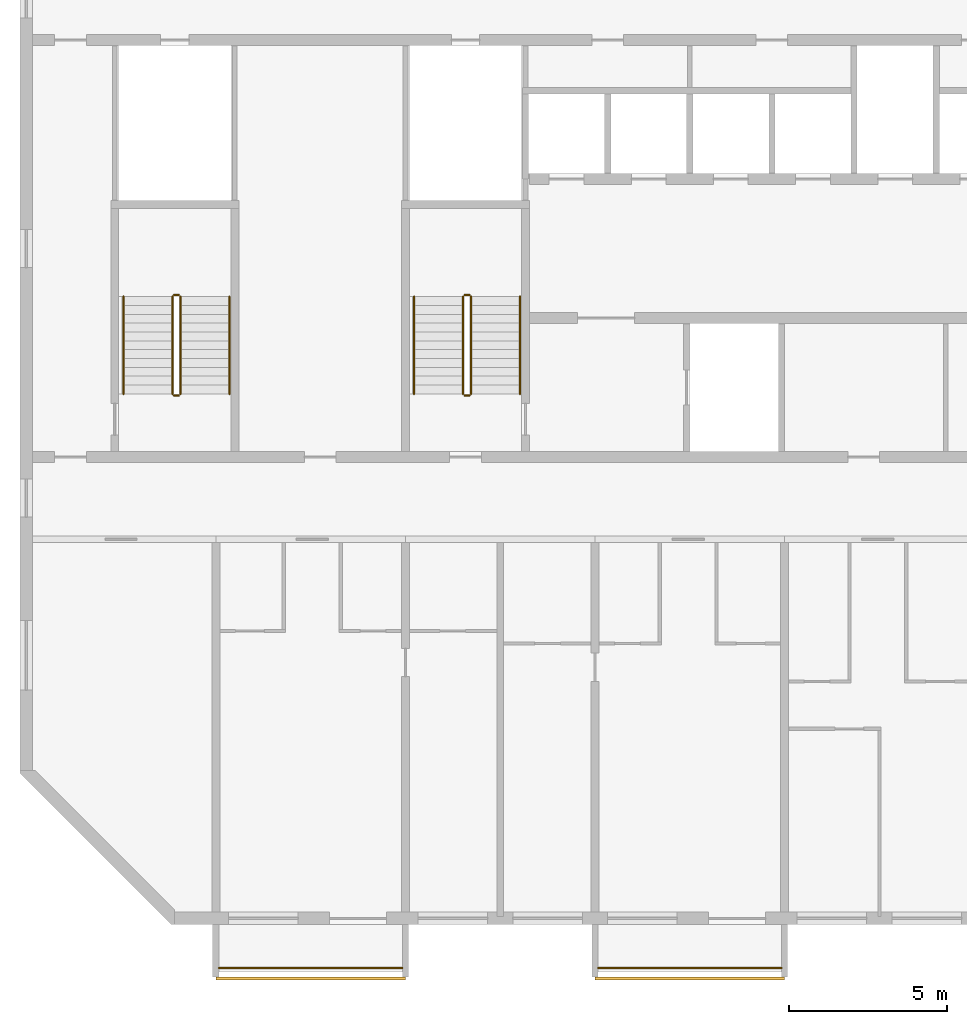
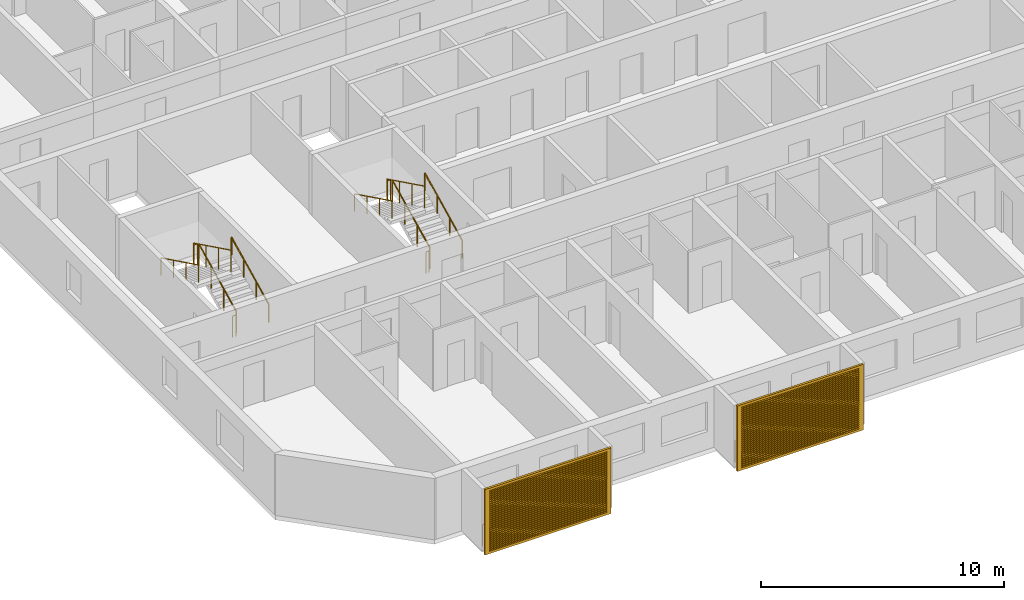
# One storey, part 13 of 26: 14 railings, 2 shading devices.
"""IFC4 building model written with IfcOpenShell, lengths in metres."""

from ifc_helpers import new_model, si_unit, direction, frame, origin, origin_2d, place, context, subcontext, project, spatial, polyline, circle, outline, extrude, source, transform, mapped, material, material_profile, profile_set, type_object, element, save


model = new_model("IFC4")

# Units and contexts
model_context = context("Model", 3, precision=1e-05, world=origin(), true_north=direction((0.0, 1.0)))
body_context = subcontext(model_context, "Body", "Model", "MODEL_VIEW")
ifc_project = project(units=[si_unit("LENGTHUNIT", "METRE"), si_unit("AREAUNIT", "SQUARE_METRE"), si_unit("VOLUMEUNIT", "CUBIC_METRE"), si_unit("PLANEANGLEUNIT", "RADIAN"), si_unit("MASSUNIT", "GRAM", prefix="KILO")], contexts=[model_context])

# Site, building, storey
site_placement = place(None, origin())
site = spatial("IfcSite", under=ifc_project, at=site_placement, CompositionType="ELEMENT")
building_placement = place(site_placement, origin())
building = spatial("IfcBuilding", under=site, at=building_placement, Name="Poui Terraces", CompositionType="ELEMENT")
storey_placement = place(building_placement, frame((0.0, 0.0, 244.5)))
storey = spatial("IfcBuildingStorey", under=building, at=storey_placement, Name="L68", CompositionType="ELEMENT", Elevation=244.5)

# Railings
ifc_material_1 = material(Name="Painted steel fretwork", Category="steel")
railing_type_1 = type_object("IfcRailingType", Name="BALCONY GUARD 1100", PredefinedType="GUARDRAIL", material=ifc_material_1)
for number, where, name in (
    (1, (24.10009765625, -1.570068359375, 0.0), "BALCONY GUARD"),
    (2, (36.10009765625, -1.570068359375, 0.0), "BALCONY GUARD"),
):
    element("IfcRailing", number, at=place(storey_placement, frame(where)), inside=storey, type_object=railing_type_1, Name=name, PredefinedType="GUARDRAIL", context=body_context, shape_type="SweptSolid", body=[
        extrude(circle(Radius=0.02392578125, at=origin_2d()), frame((0.0, 0.0, 1.076171875), z_axis=(1.0, 0.0, 0.0), x_axis=(0.0, 1.0, 0.0)), (0.0, 0.0, 1.0), 5.7998046875),
        extrude(circle(Radius=0.02099609375, at=origin_2d()), origin(), (0.0, 0.0, 1.0), 1.052001953125),
        extrude(circle(Radius=0.02099609375, at=origin_2d()), frame((0.966552734375, 0.0, 0.0)), (0.0, 0.0, 1.0), 1.052001953125),
        extrude(circle(Radius=0.02099609375, at=origin_2d()), frame((1.933349609375, 0.0, 0.0)), (0.0, 0.0, 1.0), 1.052001953125),
        extrude(circle(Radius=0.02099609375, at=origin_2d()), frame((2.89990234375, 0.0, 0.0)), (0.0, 0.0, 1.0), 1.052001953125),
        extrude(circle(Radius=0.02099609375, at=origin_2d()), frame((3.866455078125, 0.0, 0.0)), (0.0, 0.0, 1.0), 1.052001953125),
        extrude(circle(Radius=0.02099609375, at=origin_2d()), frame((4.833251953125, 0.0, 0.0)), (0.0, 0.0, 1.0), 1.052001953125),
        extrude(circle(Radius=0.02099609375, at=origin_2d()), frame((5.7998046875, 0.0, 0.0)), (0.0, 0.0, 1.0), 1.052001953125),
    ])
ifc_material_2 = material(Name="Galvanised steel balustrade", Category="steel")
railing_type_2 = type_object("IfcRailingType", Name="STAIR GUARD 1100", PredefinedType="GUARDRAIL", material=ifc_material_2)
railing_1_placement = place(storey_placement, frame((32.074951171875, 16.60009765625, 0.137451171875)))
element("IfcRailing", 3, at=railing_1_placement, inside=storey, type_object=railing_type_2, Name="L68 ST-CW stair guard 1", PredefinedType="GUARDRAIL", context=body_context, shape_type="SweptSolid", body=[
    extrude(circle(Radius=0.02392578125, at=origin_2d()), frame((0.0, 0.0, 1.076171875), z_axis=(0.0, 0.897606190399, 0.440798283751), x_axis=(-1.0, 0.0, 0.0)), (0.0, 0.0, 1.0), 3.43115234375),
    extrude(circle(Radius=0.02099609375, at=origin_2d()), origin(), (0.0, 0.0, 1.0), 1.052001953125),
    extrude(circle(Radius=0.02099609375, at=origin_2d()), frame((0.0, 1.026611328125, 0.504150390625)), (0.0, 0.0, 1.0), 1.052001953125),
    extrude(circle(Radius=0.02099609375, at=origin_2d()), frame((0.0, 2.05322265625, 1.00830078125)), (0.0, 0.0, 1.0), 1.052001953125),
    extrude(circle(Radius=0.02099609375, at=origin_2d()), frame((0.0, 3.079833984375, 1.512451171875)), (0.0, 0.0, 1.0), 1.052001953125),
])
railing_2_placement = place(storey_placement, frame((32.02490234375, 19.72998046875, 1.64990234375)))
element("IfcRailing", 4, at=railing_2_placement, inside=storey, type_object=railing_type_2, Name="L68 ST-CW stair guard 2", PredefinedType="GUARDRAIL", context=body_context, shape_type="SweptSolid", body=[
    extrude(circle(Radius=0.02392578125, at=origin_2d()), frame((0.0, 0.0, 1.076171875), z_axis=(-1.0, 0.0, 0.0), x_axis=(0.0, -1.0, 0.0)), (0.0, 0.0, 1.0), 0.14990234375),
    extrude(circle(Radius=0.02099609375, at=origin_2d()), origin(), (0.0, 0.0, 1.0), 1.052001953125),
    extrude(circle(Radius=0.02099609375, at=origin_2d()), frame((-0.14990234375, 0.0, 0.0)), (0.0, 0.0, 1.0), 1.052001953125),
])
railing_3_placement = place(storey_placement, frame((31.824951171875, 19.679931640625, 1.78759765625)))
element("IfcRailing", 5, at=railing_3_placement, inside=storey, type_object=railing_type_2, Name="L68 ST-CW stair guard 3", PredefinedType="GUARDRAIL", context=body_context, shape_type="SweptSolid", body=[
    extrude(circle(Radius=0.02392578125, at=origin_2d()), frame((0.0, 0.0, 1.076171875), z_axis=(0.0, -0.897606190399, 0.440798283751), x_axis=(1.0, 0.0, 0.0)), (0.0, 0.0, 1.0), 3.43115234375),
    extrude(circle(Radius=0.02099609375, at=origin_2d()), origin(), (0.0, 0.0, 1.0), 1.052001953125),
    extrude(circle(Radius=0.02099609375, at=origin_2d()), frame((0.0, -1.026611328125, 0.504150390625)), (0.0, 0.0, 1.0), 1.052001953125),
    extrude(circle(Radius=0.02099609375, at=origin_2d()), frame((0.0, -2.05322265625, 1.00830078125)), (0.0, 0.0, 1.0), 1.052001953125),
    extrude(circle(Radius=0.02099609375, at=origin_2d()), frame((0.0, -3.079833984375, 1.512451171875)), (0.0, 0.0, 1.0), 1.052001953125),
])
railing_4_placement = place(storey_placement, frame((32.02490234375, 16.550048828125, 0.0)))
element("IfcRailing", 6, at=railing_4_placement, inside=storey, type_object=railing_type_2, Name="L68 ST-CW stair guard 4", PredefinedType="GUARDRAIL", context=body_context, shape_type="SweptSolid", body=[
    extrude(circle(Radius=0.02392578125, at=origin_2d()), frame((0.0, 0.0, 1.076171875), z_axis=(-1.0, 0.0, 0.0), x_axis=(0.0, -1.0, 0.0)), (0.0, 0.0, 1.0), 0.14990234375),
    extrude(circle(Radius=0.02099609375, at=origin_2d()), origin(), (0.0, 0.0, 1.0), 1.052001953125),
    extrude(circle(Radius=0.02099609375, at=origin_2d()), frame((-0.14990234375, 0.0, 0.0)), (0.0, 0.0, 1.0), 1.052001953125),
])
railing_5_placement = place(storey_placement, frame((22.875, 16.60009765625, 0.137451171875)))
element("IfcRailing", 7, at=railing_5_placement, inside=storey, type_object=railing_type_2, Name="L68 ST-W stair guard 1", PredefinedType="GUARDRAIL", context=body_context, shape_type="SweptSolid", body=[
    extrude(circle(Radius=0.02392578125, at=origin_2d()), frame((0.0, 0.0, 1.076171875), z_axis=(0.0, 0.897606190399, 0.440798283751), x_axis=(-1.0, 0.0, 0.0)), (0.0, 0.0, 1.0), 3.43115234375),
    extrude(circle(Radius=0.02099609375, at=origin_2d()), origin(), (0.0, 0.0, 1.0), 1.052001953125),
    extrude(circle(Radius=0.02099609375, at=origin_2d()), frame((0.0, 1.026611328125, 0.504150390625)), (0.0, 0.0, 1.0), 1.052001953125),
    extrude(circle(Radius=0.02099609375, at=origin_2d()), frame((0.0, 2.05322265625, 1.00830078125)), (0.0, 0.0, 1.0), 1.052001953125),
    extrude(circle(Radius=0.02099609375, at=origin_2d()), frame((0.0, 3.079833984375, 1.512451171875)), (0.0, 0.0, 1.0), 1.052001953125),
])
railing_6_placement = place(storey_placement, frame((22.824951171875, 19.72998046875, 1.64990234375)))
element("IfcRailing", 8, at=railing_6_placement, inside=storey, type_object=railing_type_2, Name="L68 ST-W stair guard 2", PredefinedType="GUARDRAIL", context=body_context, shape_type="SweptSolid", body=[
    extrude(circle(Radius=0.02392578125, at=origin_2d()), frame((0.0, 0.0, 1.076171875), z_axis=(-1.0, 0.0, 0.0), x_axis=(0.0, -1.0, 0.0)), (0.0, 0.0, 1.0), 0.14990234375),
    extrude(circle(Radius=0.02099609375, at=origin_2d()), origin(), (0.0, 0.0, 1.0), 1.052001953125),
    extrude(circle(Radius=0.02099609375, at=origin_2d()), frame((-0.14990234375, 0.0, 0.0)), (0.0, 0.0, 1.0), 1.052001953125),
])
railing_7_placement = place(storey_placement, frame((22.625, 19.679931640625, 1.78759765625)))
element("IfcRailing", 9, at=railing_7_placement, inside=storey, type_object=railing_type_2, Name="L68 ST-W stair guard 3", PredefinedType="GUARDRAIL", context=body_context, shape_type="SweptSolid", body=[
    extrude(circle(Radius=0.02392578125, at=origin_2d()), frame((0.0, 0.0, 1.076171875), z_axis=(0.0, -0.897606190399, 0.440798283751), x_axis=(1.0, 0.0, 0.0)), (0.0, 0.0, 1.0), 3.43115234375),
    extrude(circle(Radius=0.02099609375, at=origin_2d()), origin(), (0.0, 0.0, 1.0), 1.052001953125),
    extrude(circle(Radius=0.02099609375, at=origin_2d()), frame((0.0, -1.026611328125, 0.504150390625)), (0.0, 0.0, 1.0), 1.052001953125),
    extrude(circle(Radius=0.02099609375, at=origin_2d()), frame((0.0, -2.05322265625, 1.00830078125)), (0.0, 0.0, 1.0), 1.052001953125),
    extrude(circle(Radius=0.02099609375, at=origin_2d()), frame((0.0, -3.079833984375, 1.512451171875)), (0.0, 0.0, 1.0), 1.052001953125),
])
railing_8_placement = place(storey_placement, frame((22.824951171875, 16.550048828125, 0.0)))
element("IfcRailing", 10, at=railing_8_placement, inside=storey, type_object=railing_type_2, Name="L68 ST-W stair guard 4", PredefinedType="GUARDRAIL", context=body_context, shape_type="SweptSolid", body=[
    extrude(circle(Radius=0.02392578125, at=origin_2d()), frame((0.0, 0.0, 1.076171875), z_axis=(-1.0, 0.0, 0.0), x_axis=(0.0, -1.0, 0.0)), (0.0, 0.0, 1.0), 0.14990234375),
    extrude(circle(Radius=0.02099609375, at=origin_2d()), origin(), (0.0, 0.0, 1.0), 1.052001953125),
    extrude(circle(Radius=0.02099609375, at=origin_2d()), frame((-0.14990234375, 0.0, 0.0)), (0.0, 0.0, 1.0), 1.052001953125),
])
ifc_material_3 = material(Name="Stainless steel handrail", Category="steel")
railing_type_3 = type_object("IfcRailingType", Name="STAIR HANDRAIL 900", PredefinedType="HANDRAIL", material=ifc_material_3)
railing_9_placement = place(storey_placement, frame((33.625, 16.60009765625, 0.137451171875)))
element("IfcRailing", 11, at=railing_9_placement, inside=storey, type_object=railing_type_3, Name="L68 ST-CW stair handrail 1", PredefinedType="HANDRAIL", context=body_context, shape_type="SweptSolid", body=[
    extrude(circle(Radius=0.02392578125, at=origin_2d()), frame((0.0, 0.0, 0.8759765625), z_axis=(0.0, 0.897606190399, 0.440798283751), x_axis=(-1.0, 0.0, 0.0)), (0.0, 0.0, 1.0), 3.43115234375),
    extrude(circle(Radius=0.02099609375, at=origin_2d()), origin(), (0.0, 0.0, 1.0), 0.851806640625),
    extrude(circle(Radius=0.02099609375, at=origin_2d()), frame((0.0, 1.026611328125, 0.504150390625)), (0.0, 0.0, 1.0), 0.851806640625),
    extrude(circle(Radius=0.02099609375, at=origin_2d()), frame((0.0, 2.05322265625, 1.00830078125)), (0.0, 0.0, 1.0), 0.851806640625),
    extrude(circle(Radius=0.02099609375, at=origin_2d()), frame((0.0, 3.079833984375, 1.512451171875)), (0.0, 0.0, 1.0), 0.851806640625),
])
railing_10_placement = place(storey_placement, frame((30.27490234375, 19.679931640625, 1.78759765625)))
element("IfcRailing", 12, at=railing_10_placement, inside=storey, type_object=railing_type_3, Name="L68 ST-CW stair handrail 2", PredefinedType="HANDRAIL", context=body_context, shape_type="SweptSolid", body=[
    extrude(circle(Radius=0.02392578125, at=origin_2d()), frame((0.0, 0.0, 0.8759765625), z_axis=(0.0, -0.897606190399, 0.440798283751), x_axis=(1.0, 0.0, 0.0)), (0.0, 0.0, 1.0), 3.43115234375),
    extrude(circle(Radius=0.02099609375, at=origin_2d()), origin(), (0.0, 0.0, 1.0), 0.851806640625),
    extrude(circle(Radius=0.02099609375, at=origin_2d()), frame((0.0, -1.026611328125, 0.504150390625)), (0.0, 0.0, 1.0), 0.851806640625),
    extrude(circle(Radius=0.02099609375, at=origin_2d()), frame((0.0, -2.05322265625, 1.00830078125)), (0.0, 0.0, 1.0), 0.851806640625),
    extrude(circle(Radius=0.02099609375, at=origin_2d()), frame((0.0, -3.079833984375, 1.512451171875)), (0.0, 0.0, 1.0), 0.851806640625),
])
railing_11_placement = place(storey_placement, frame((24.425048828125, 16.60009765625, 0.137451171875)))
element("IfcRailing", 13, at=railing_11_placement, inside=storey, type_object=railing_type_3, Name="L68 ST-W stair handrail 1", PredefinedType="HANDRAIL", context=body_context, shape_type="SweptSolid", body=[
    extrude(circle(Radius=0.02392578125, at=origin_2d()), frame((0.0, 0.0, 0.8759765625), z_axis=(0.0, 0.897606190399, 0.440798283751), x_axis=(-1.0, 0.0, 0.0)), (0.0, 0.0, 1.0), 3.43115234375),
    extrude(circle(Radius=0.02099609375, at=origin_2d()), origin(), (0.0, 0.0, 1.0), 0.851806640625),
    extrude(circle(Radius=0.02099609375, at=origin_2d()), frame((0.0, 1.026611328125, 0.504150390625)), (0.0, 0.0, 1.0), 0.851806640625),
    extrude(circle(Radius=0.02099609375, at=origin_2d()), frame((0.0, 2.05322265625, 1.00830078125)), (0.0, 0.0, 1.0), 0.851806640625),
    extrude(circle(Radius=0.02099609375, at=origin_2d()), frame((0.0, 3.079833984375, 1.512451171875)), (0.0, 0.0, 1.0), 0.851806640625),
])
railing_12_placement = place(storey_placement, frame((21.074951171875, 19.679931640625, 1.78759765625)))
element("IfcRailing", 14, at=railing_12_placement, inside=storey, type_object=railing_type_3, Name="L68 ST-W stair handrail 2", PredefinedType="HANDRAIL", context=body_context, shape_type="SweptSolid", body=[
    extrude(circle(Radius=0.02392578125, at=origin_2d()), frame((0.0, 0.0, 0.8759765625), z_axis=(0.0, -0.897606190399, 0.440798283751), x_axis=(1.0, 0.0, 0.0)), (0.0, 0.0, 1.0), 3.43115234375),
    extrude(circle(Radius=0.02099609375, at=origin_2d()), origin(), (0.0, 0.0, 1.0), 0.851806640625),
    extrude(circle(Radius=0.02099609375, at=origin_2d()), frame((0.0, -1.026611328125, 0.504150390625)), (0.0, 0.0, 1.0), 0.851806640625),
    extrude(circle(Radius=0.02099609375, at=origin_2d()), frame((0.0, -2.05322265625, 1.00830078125)), (0.0, 0.0, 1.0), 0.851806640625),
    extrude(circle(Radius=0.02099609375, at=origin_2d()), frame((0.0, -3.079833984375, 1.512451171875)), (0.0, 0.0, 1.0), 0.851806640625),
])

# Shading devices
ifc_material_4 = material(Name="Aluminium louvre", Category="aluminium")
ifc_material_profile = material_profile(ifc_material_4, outline(polyline([(-3.0, -1.64990234375), (3.0, -1.64990234375), (3.0, 1.64990234375), (-3.0, 1.64990234375), (-3.0, -1.64990234375)]), holes=[polyline([(-2.800048828125, -1.530029296875), (2.800048828125, -1.530029296875), (2.800048828125, -1.469970703125), (-2.800048828125, -1.469970703125), (-2.800048828125, -1.530029296875)]), polyline([(-2.800048828125, -1.429931640625), (2.800048828125, -1.429931640625), (2.800048828125, -1.3701171875), (-2.800048828125, -1.3701171875), (-2.800048828125, -1.429931640625)]), polyline([(-2.800048828125, -1.330078125), (2.800048828125, -1.330078125), (2.800048828125, -1.27001953125), (-2.800048828125, -1.27001953125), (-2.800048828125, -1.330078125)]), polyline([(-2.800048828125, -1.22998046875), (2.800048828125, -1.22998046875), (2.800048828125, -1.169921875), (-2.800048828125, -1.169921875), (-2.800048828125, -1.22998046875)]), polyline([(-2.800048828125, -1.1298828125), (2.800048828125, -1.1298828125), (2.800048828125, -1.070068359375), (-2.800048828125, -1.070068359375), (-2.800048828125, -1.1298828125)]), polyline([(-2.800048828125, -1.030029296875), (2.800048828125, -1.030029296875), (2.800048828125, -0.969970703125), (-2.800048828125, -0.969970703125), (-2.800048828125, -1.030029296875)]), polyline([(-2.800048828125, -0.929931640625), (2.800048828125, -0.929931640625), (2.800048828125, -0.8701171875), (-2.800048828125, -0.8701171875), (-2.800048828125, -0.929931640625)]), polyline([(-2.800048828125, -0.830078125), (2.800048828125, -0.830078125), (2.800048828125, -0.77001953125), (-2.800048828125, -0.77001953125), (-2.800048828125, -0.830078125)]), polyline([(-2.800048828125, -0.72998046875), (2.800048828125, -0.72998046875), (2.800048828125, -0.669921875), (-2.800048828125, -0.669921875), (-2.800048828125, -0.72998046875)]), polyline([(-2.800048828125, -0.6298828125), (2.800048828125, -0.6298828125), (2.800048828125, -0.570068359375), (-2.800048828125, -0.570068359375), (-2.800048828125, -0.6298828125)]), polyline([(-2.800048828125, -0.530029296875), (2.800048828125, -0.530029296875), (2.800048828125, -0.469970703125), (-2.800048828125, -0.469970703125), (-2.800048828125, -0.530029296875)]), polyline([(-2.800048828125, -0.429931640625), (2.800048828125, -0.429931640625), (2.800048828125, -0.3701171875), (-2.800048828125, -0.3701171875), (-2.800048828125, -0.429931640625)]), polyline([(-2.800048828125, -0.330078125), (2.800048828125, -0.330078125), (2.800048828125, -0.27001953125), (-2.800048828125, -0.27001953125), (-2.800048828125, -0.330078125)]), polyline([(-2.800048828125, -0.22998046875), (2.800048828125, -0.22998046875), (2.800048828125, -0.169921875), (-2.800048828125, -0.169921875), (-2.800048828125, -0.22998046875)]), polyline([(-2.800048828125, -0.1298828125), (2.800048828125, -0.1298828125), (2.800048828125, -0.070068359375), (-2.800048828125, -0.070068359375), (-2.800048828125, -0.1298828125)]), polyline([(-2.800048828125, -0.030029296875), (2.800048828125, -0.030029296875), (2.800048828125, 0.030029296875), (-2.800048828125, 0.030029296875), (-2.800048828125, -0.030029296875)]), polyline([(-2.800048828125, 0.070068359375), (2.800048828125, 0.070068359375), (2.800048828125, 0.1298828125), (-2.800048828125, 0.1298828125), (-2.800048828125, 0.070068359375)]), polyline([(-2.800048828125, 0.169921875), (2.800048828125, 0.169921875), (2.800048828125, 0.22998046875), (-2.800048828125, 0.22998046875), (-2.800048828125, 0.169921875)]), polyline([(-2.800048828125, 0.27001953125), (2.800048828125, 0.27001953125), (2.800048828125, 0.330078125), (-2.800048828125, 0.330078125), (-2.800048828125, 0.27001953125)]), polyline([(-2.800048828125, 0.3701171875), (2.800048828125, 0.3701171875), (2.800048828125, 0.429931640625), (-2.800048828125, 0.429931640625), (-2.800048828125, 0.3701171875)]), polyline([(-2.800048828125, 0.469970703125), (2.800048828125, 0.469970703125), (2.800048828125, 0.530029296875), (-2.800048828125, 0.530029296875), (-2.800048828125, 0.469970703125)]), polyline([(-2.800048828125, 0.570068359375), (2.800048828125, 0.570068359375), (2.800048828125, 0.6298828125), (-2.800048828125, 0.6298828125), (-2.800048828125, 0.570068359375)]), polyline([(-2.800048828125, 0.669921875), (2.800048828125, 0.669921875), (2.800048828125, 0.72998046875), (-2.800048828125, 0.72998046875), (-2.800048828125, 0.669921875)]), polyline([(-2.800048828125, 0.77001953125), (2.800048828125, 0.77001953125), (2.800048828125, 0.830078125), (-2.800048828125, 0.830078125), (-2.800048828125, 0.77001953125)]), polyline([(-2.800048828125, 0.8701171875), (2.800048828125, 0.8701171875), (2.800048828125, 0.929931640625), (-2.800048828125, 0.929931640625), (-2.800048828125, 0.8701171875)]), polyline([(-2.800048828125, 0.969970703125), (2.800048828125, 0.969970703125), (2.800048828125, 1.030029296875), (-2.800048828125, 1.030029296875), (-2.800048828125, 0.969970703125)]), polyline([(-2.800048828125, 1.070068359375), (2.800048828125, 1.070068359375), (2.800048828125, 1.1298828125), (-2.800048828125, 1.1298828125), (-2.800048828125, 1.070068359375)]), polyline([(-2.800048828125, 1.169921875), (2.800048828125, 1.169921875), (2.800048828125, 1.22998046875), (-2.800048828125, 1.22998046875), (-2.800048828125, 1.169921875)]), polyline([(-2.800048828125, 1.27001953125), (2.800048828125, 1.27001953125), (2.800048828125, 1.330078125), (-2.800048828125, 1.330078125), (-2.800048828125, 1.27001953125)]), polyline([(-2.800048828125, 1.3701171875), (2.800048828125, 1.3701171875), (2.800048828125, 1.429931640625), (-2.800048828125, 1.429931640625), (-2.800048828125, 1.3701171875)]), polyline([(-2.800048828125, 1.469970703125), (2.800048828125, 1.469970703125), (2.800048828125, 1.530029296875), (-2.800048828125, 1.530029296875), (-2.800048828125, 1.469970703125)])]), Name="JALOUSIE LOUVRE SHUTTER 6000X3300")
ifc_profile_set = profile_set([ifc_material_profile], Name="Aluminium louvre")
shading_device_type = type_object("IfcShadingDeviceType", Name="JALOUSIE LOUVRE SHUTTER 6000X3300", PredefinedType="JALOUSIE", material=ifc_profile_set)
shared_shape = source(origin(), body_context, "Body", "SweptSolid", [
    extrude(outline(polyline([(-3.0, -1.64990234375), (3.0, -1.64990234375), (3.0, 1.64990234375), (-3.0, 1.64990234375), (-3.0, -1.64990234375)]), holes=[polyline([(-2.800048828125, -1.530029296875), (2.800048828125, -1.530029296875), (2.800048828125, -1.469970703125), (-2.800048828125, -1.469970703125), (-2.800048828125, -1.530029296875)]), polyline([(-2.800048828125, -1.429931640625), (2.800048828125, -1.429931640625), (2.800048828125, -1.3701171875), (-2.800048828125, -1.3701171875), (-2.800048828125, -1.429931640625)]), polyline([(-2.800048828125, -1.330078125), (2.800048828125, -1.330078125), (2.800048828125, -1.27001953125), (-2.800048828125, -1.27001953125), (-2.800048828125, -1.330078125)]), polyline([(-2.800048828125, -1.22998046875), (2.800048828125, -1.22998046875), (2.800048828125, -1.169921875), (-2.800048828125, -1.169921875), (-2.800048828125, -1.22998046875)]), polyline([(-2.800048828125, -1.1298828125), (2.800048828125, -1.1298828125), (2.800048828125, -1.070068359375), (-2.800048828125, -1.070068359375), (-2.800048828125, -1.1298828125)]), polyline([(-2.800048828125, -1.030029296875), (2.800048828125, -1.030029296875), (2.800048828125, -0.969970703125), (-2.800048828125, -0.969970703125), (-2.800048828125, -1.030029296875)]), polyline([(-2.800048828125, -0.929931640625), (2.800048828125, -0.929931640625), (2.800048828125, -0.8701171875), (-2.800048828125, -0.8701171875), (-2.800048828125, -0.929931640625)]), polyline([(-2.800048828125, -0.830078125), (2.800048828125, -0.830078125), (2.800048828125, -0.77001953125), (-2.800048828125, -0.77001953125), (-2.800048828125, -0.830078125)]), polyline([(-2.800048828125, -0.72998046875), (2.800048828125, -0.72998046875), (2.800048828125, -0.669921875), (-2.800048828125, -0.669921875), (-2.800048828125, -0.72998046875)]), polyline([(-2.800048828125, -0.6298828125), (2.800048828125, -0.6298828125), (2.800048828125, -0.570068359375), (-2.800048828125, -0.570068359375), (-2.800048828125, -0.6298828125)]), polyline([(-2.800048828125, -0.530029296875), (2.800048828125, -0.530029296875), (2.800048828125, -0.469970703125), (-2.800048828125, -0.469970703125), (-2.800048828125, -0.530029296875)]), polyline([(-2.800048828125, -0.429931640625), (2.800048828125, -0.429931640625), (2.800048828125, -0.3701171875), (-2.800048828125, -0.3701171875), (-2.800048828125, -0.429931640625)]), polyline([(-2.800048828125, -0.330078125), (2.800048828125, -0.330078125), (2.800048828125, -0.27001953125), (-2.800048828125, -0.27001953125), (-2.800048828125, -0.330078125)]), polyline([(-2.800048828125, -0.22998046875), (2.800048828125, -0.22998046875), (2.800048828125, -0.169921875), (-2.800048828125, -0.169921875), (-2.800048828125, -0.22998046875)]), polyline([(-2.800048828125, -0.1298828125), (2.800048828125, -0.1298828125), (2.800048828125, -0.070068359375), (-2.800048828125, -0.070068359375), (-2.800048828125, -0.1298828125)]), polyline([(-2.800048828125, -0.030029296875), (2.800048828125, -0.030029296875), (2.800048828125, 0.030029296875), (-2.800048828125, 0.030029296875), (-2.800048828125, -0.030029296875)]), polyline([(-2.800048828125, 0.070068359375), (2.800048828125, 0.070068359375), (2.800048828125, 0.1298828125), (-2.800048828125, 0.1298828125), (-2.800048828125, 0.070068359375)]), polyline([(-2.800048828125, 0.169921875), (2.800048828125, 0.169921875), (2.800048828125, 0.22998046875), (-2.800048828125, 0.22998046875), (-2.800048828125, 0.169921875)]), polyline([(-2.800048828125, 0.27001953125), (2.800048828125, 0.27001953125), (2.800048828125, 0.330078125), (-2.800048828125, 0.330078125), (-2.800048828125, 0.27001953125)]), polyline([(-2.800048828125, 0.3701171875), (2.800048828125, 0.3701171875), (2.800048828125, 0.429931640625), (-2.800048828125, 0.429931640625), (-2.800048828125, 0.3701171875)]), polyline([(-2.800048828125, 0.469970703125), (2.800048828125, 0.469970703125), (2.800048828125, 0.530029296875), (-2.800048828125, 0.530029296875), (-2.800048828125, 0.469970703125)]), polyline([(-2.800048828125, 0.570068359375), (2.800048828125, 0.570068359375), (2.800048828125, 0.6298828125), (-2.800048828125, 0.6298828125), (-2.800048828125, 0.570068359375)]), polyline([(-2.800048828125, 0.669921875), (2.800048828125, 0.669921875), (2.800048828125, 0.72998046875), (-2.800048828125, 0.72998046875), (-2.800048828125, 0.669921875)]), polyline([(-2.800048828125, 0.77001953125), (2.800048828125, 0.77001953125), (2.800048828125, 0.830078125), (-2.800048828125, 0.830078125), (-2.800048828125, 0.77001953125)]), polyline([(-2.800048828125, 0.8701171875), (2.800048828125, 0.8701171875), (2.800048828125, 0.929931640625), (-2.800048828125, 0.929931640625), (-2.800048828125, 0.8701171875)]), polyline([(-2.800048828125, 0.969970703125), (2.800048828125, 0.969970703125), (2.800048828125, 1.030029296875), (-2.800048828125, 1.030029296875), (-2.800048828125, 0.969970703125)]), polyline([(-2.800048828125, 1.070068359375), (2.800048828125, 1.070068359375), (2.800048828125, 1.1298828125), (-2.800048828125, 1.1298828125), (-2.800048828125, 1.070068359375)]), polyline([(-2.800048828125, 1.169921875), (2.800048828125, 1.169921875), (2.800048828125, 1.22998046875), (-2.800048828125, 1.22998046875), (-2.800048828125, 1.169921875)]), polyline([(-2.800048828125, 1.27001953125), (2.800048828125, 1.27001953125), (2.800048828125, 1.330078125), (-2.800048828125, 1.330078125), (-2.800048828125, 1.27001953125)]), polyline([(-2.800048828125, 1.3701171875), (2.800048828125, 1.3701171875), (2.800048828125, 1.429931640625), (-2.800048828125, 1.429931640625), (-2.800048828125, 1.3701171875)]), polyline([(-2.800048828125, 1.469970703125), (2.800048828125, 1.469970703125), (2.800048828125, 1.530029296875), (-2.800048828125, 1.530029296875), (-2.800048828125, 1.469970703125)])]), origin(), (0.0, 0.0, 1.0), 0.099853515625),
])
for number, where, z_axis, x_axis, name in (
    (15, (27.0, -1.85009765625, 1.449951171875), (0.0, -1.0, 0.0), (1.0, 0.0, 0.0), "JALOUSIE LOUVRE SHUTTER"),
    (16, (39.0, -1.85009765625, 1.449951171875), (0.0, -1.0, 0.0), (1.0, 0.0, 0.0), "JALOUSIE LOUVRE SHUTTER"),
):
    element("IfcShadingDevice", number, at=place(storey_placement, frame(where, z_axis=z_axis, x_axis=x_axis)), inside=storey, type_object=shading_device_type, Name=name, PredefinedType="JALOUSIE", context=body_context, shape_type="MappedRepresentation", body=[
        mapped(shared_shape, transform((0.0, 0.0, 0.0))),
    ])

save(model, "model.ifc")
